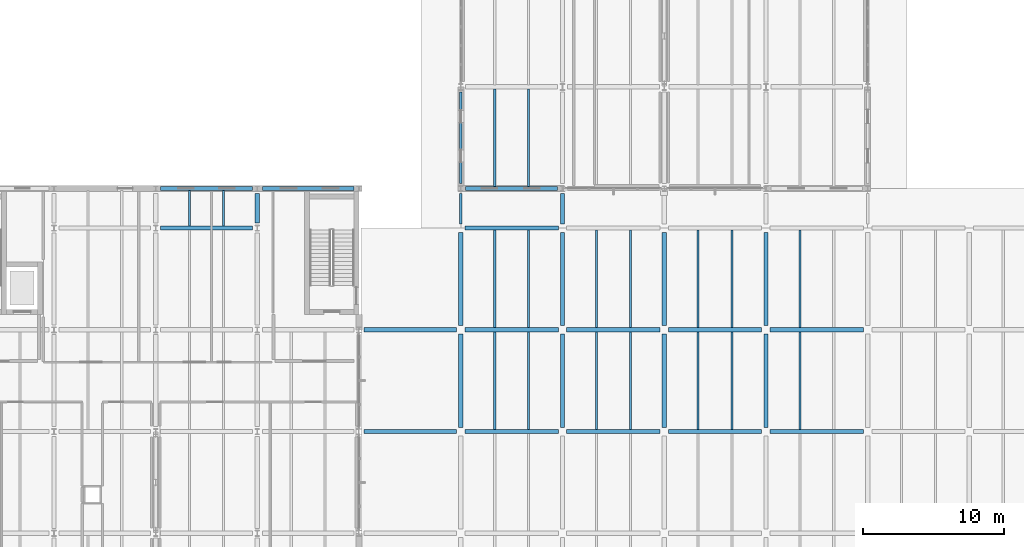
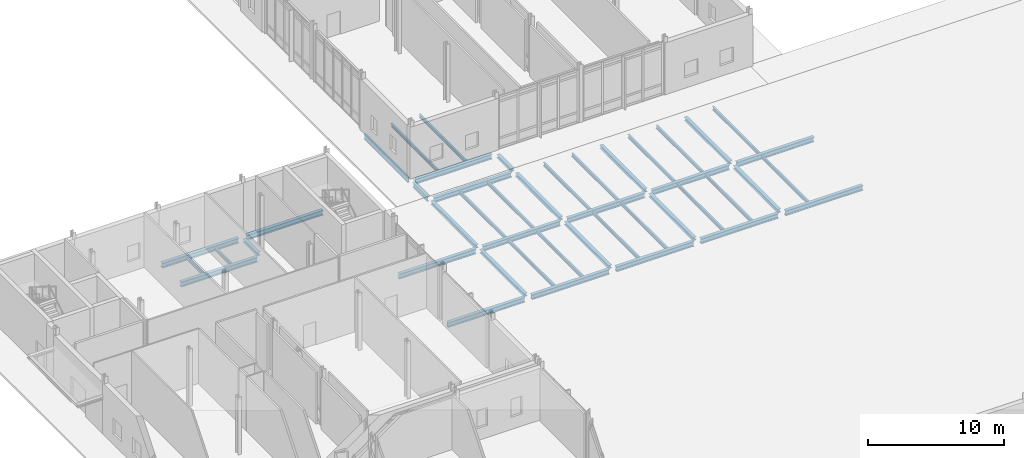
# One storey, part 30 of 89: 45 beams.
"""IFC4 building model written with IfcOpenShell, lengths in metres."""

from ifc_helpers import new_model, si_unit, direction, frame, origin, origin_2d, place, context, subcontext, project, spatial, i_section, extrude, material, material_profile, profile_set, type_object, element, save


model = new_model("IFC4")

# Units and contexts
model_context = context("Model", 3, precision=1e-05, world=origin(), true_north=direction((0.0, 1.0)))
body_context = subcontext(model_context, "Body", "Model", "MODEL_VIEW")
ifc_project = project(units=[si_unit("LENGTHUNIT", "METRE"), si_unit("AREAUNIT", "SQUARE_METRE"), si_unit("VOLUMEUNIT", "CUBIC_METRE"), si_unit("PLANEANGLEUNIT", "RADIAN"), si_unit("MASSUNIT", "GRAM", prefix="KILO")], contexts=[model_context])

# Site, building, storey
site_placement = place(None, origin())
site = spatial("IfcSite", under=ifc_project, at=site_placement, CompositionType="ELEMENT")
building_placement = place(site_placement, origin())
building = spatial("IfcBuilding", under=site, at=building_placement, Name="Zarrinpeak Specialist Clinic", CompositionType="ELEMENT")
storey_placement = place(building_placement, origin())
storey = spatial("IfcBuildingStorey", under=building, at=storey_placement, Name="L00", CompositionType="ELEMENT", Elevation=0.0)

# Beams
ifc_material = material(Name="Steel S355", Category="steel")
ifc_material_profile_1 = material_profile(ifc_material, i_section(OverallWidth=0.300048828125, OverallDepth=0.2900390625, WebThickness=0.008544921875, FlangeThickness=0.013916015625, FilletRadius=0.027099609375, at=origin_2d()), Name="HEA 300")
ifc_profile_set_1 = profile_set([ifc_material_profile_1], Name="Steel S355")
beam_type_1 = type_object("IfcBeamType", Name="BM-HEA300", PredefinedType="BEAM", material=ifc_profile_set_1)
beam_1_placement = place(storey_placement, frame((21.60009765625, 79.548095703125, -0.405029296875), z_axis=(0.0, 1.0, 0.0), x_axis=(-1.0, 0.0, 0.0)))
element("IfcBeam", 1, at=beam_1_placement, inside=storey, type_object=beam_type_1, Name="L00 Primary Beam BM-L00-Y0253", PredefinedType="BEAM", context=body_context, shape_type="SweptSolid", body=[
    extrude(i_section(OverallWidth=0.300048828125, OverallDepth=0.2900390625, WebThickness=0.008544921875, FlangeThickness=0.013916015625, FilletRadius=0.027099609375, at=origin_2d()), origin(), (0.0, 0.0, 1.0), 2.10400390625),
])
for number, where, z_axis, x_axis, name in (
    (2, (36.0, 65.097900390625, -0.364990234375), (0.0, 1.0, 0.0), (-1.0, 0.0, 0.0), "L00 Primary Beam BM-L00-Y0272"),
    (3, (36.0, 72.298095703125, -0.364990234375), (0.0, 1.0, 0.0), (-1.0, 0.0, 0.0), "L00 Primary Beam BM-L00-Y0273"),
    (4, (43.199951171875, 65.097900390625, -0.364990234375), (0.0, 1.0, 0.0), (-1.0, 0.0, 0.0), "L00 Primary Beam BM-L00-Y0287"),
    (5, (43.199951171875, 72.298095703125, -0.364990234375), (0.0, 1.0, 0.0), (-1.0, 0.0, 0.0), "L00 Primary Beam BM-L00-Y0288"),
):
    element("IfcBeam", number, at=place(storey_placement, frame(where, z_axis=z_axis, x_axis=x_axis)), inside=storey, type_object=beam_type_1, Name=name, PredefinedType="BEAM", context=body_context, shape_type="SweptSolid", body=[
        extrude(i_section(OverallWidth=0.300048828125, OverallDepth=0.2900390625, WebThickness=0.008544921875, FlangeThickness=0.013916015625, FilletRadius=0.027099609375, at=origin_2d()), origin(), (0.0, 0.0, 1.0), 6.60400390625),
    ])
beam_2_placement = place(storey_placement, frame((43.199951171875, 79.498046875, -0.364990234375), z_axis=(0.0, 1.0, 0.0), x_axis=(-1.0, 0.0, 0.0)))
element("IfcBeam", 6, at=beam_2_placement, inside=storey, type_object=beam_type_1, Name="L00 Primary Beam BM-L00-Y0289", PredefinedType="BEAM", context=body_context, shape_type="SweptSolid", body=[
    extrude(i_section(OverallWidth=0.300048828125, OverallDepth=0.2900390625, WebThickness=0.008544921875, FlangeThickness=0.013916015625, FilletRadius=0.027099609375, at=origin_2d()), origin(), (0.0, 0.0, 1.0), 2.154052734375),
])
for number, where, z_axis, x_axis, name in (
    (7, (50.39990234375, 65.097900390625, -0.364990234375), (0.0, 1.0, 0.0), (-1.0, 0.0, 0.0), "L00 Primary Beam BM-L00-Y0304"),
    (8, (50.39990234375, 72.298095703125, -0.364990234375), (0.0, 1.0, 0.0), (-1.0, 0.0, 0.0), "L00 Primary Beam BM-L00-Y0305"),
    (9, (57.60009765625, 65.097900390625, -0.364990234375), (0.0, 1.0, 0.0), (-1.0, 0.0, 0.0), "L00 Primary Beam BM-L00-Y0319"),
    (10, (57.60009765625, 72.298095703125, -0.364990234375), (0.0, 1.0, 0.0), (-1.0, 0.0, 0.0), "L00 Primary Beam BM-L00-Y0320"),
):
    element("IfcBeam", number, at=place(storey_placement, frame(where, z_axis=z_axis, x_axis=x_axis)), inside=storey, type_object=beam_type_1, Name=name, PredefinedType="BEAM", context=body_context, shape_type="SweptSolid", body=[
        extrude(i_section(OverallWidth=0.300048828125, OverallDepth=0.2900390625, WebThickness=0.008544921875, FlangeThickness=0.013916015625, FilletRadius=0.027099609375, at=origin_2d()), origin(), (0.0, 0.0, 1.0), 6.60400390625),
    ])
ifc_material_profile_2 = material_profile(ifc_material, i_section(OverallWidth=0.300048828125, OverallDepth=0.43994140625, WebThickness=0.011474609375, FlangeThickness=0.02099609375, FilletRadius=0.027099609375, at=origin_2d()), Name="HEA 450")
ifc_profile_set_2 = profile_set([ifc_material_profile_2], Name="Steel S355")
beam_type_2 = type_object("IfcBeamType", Name="BM-HEA450", PredefinedType="BEAM", material=ifc_profile_set_2)
beam_3_placement = place(storey_placement, frame((29.14794921875, 64.800048828125, -0.43994140625), z_axis=(1.0, 0.0, 0.0), x_axis=(0.0, 1.0, 0.0)))
element("IfcBeam", 11, at=beam_3_placement, inside=storey, type_object=beam_type_2, Name="L00 Primary Floor Girder BM-L00-X0148", PredefinedType="BEAM", context=body_context, shape_type="SweptSolid", body=[
    extrude(i_section(OverallWidth=0.300048828125, OverallDepth=0.43994140625, WebThickness=0.011474609375, FlangeThickness=0.02099609375, FilletRadius=0.027099609375, at=origin_2d()), origin(), (0.0, 0.0, 1.0), 6.553955078125),
])
for number, where, z_axis, x_axis, name in (
    (12, (36.298095703125, 64.800048828125, -0.43994140625), (1.0, 0.0, 0.0), (0.0, 1.0, 0.0), "L00 Primary Floor Girder BM-L00-X0149"),
    (13, (43.498046875, 64.800048828125, -0.43994140625), (1.0, 0.0, 0.0), (0.0, 1.0, 0.0), "L00 Primary Floor Girder BM-L00-X0150"),
    (14, (50.697998046875, 64.800048828125, -0.43994140625), (1.0, 0.0, 0.0), (0.0, 1.0, 0.0), "L00 Primary Floor Girder BM-L00-X0151"),
    (15, (57.89794921875, 64.800048828125, -0.43994140625), (1.0, 0.0, 0.0), (0.0, 1.0, 0.0), "L00 Primary Floor Girder BM-L00-X0152"),
):
    element("IfcBeam", number, at=place(storey_placement, frame(where, z_axis=z_axis, x_axis=x_axis)), inside=storey, type_object=beam_type_2, Name=name, PredefinedType="BEAM", context=body_context, shape_type="SweptSolid", body=[
        extrude(i_section(OverallWidth=0.300048828125, OverallDepth=0.43994140625, WebThickness=0.011474609375, FlangeThickness=0.02099609375, FilletRadius=0.027099609375, at=origin_2d()), origin(), (0.0, 0.0, 1.0), 6.60400390625),
    ])
beam_4_placement = place(storey_placement, frame((29.14794921875, 72.0, -0.43994140625), z_axis=(1.0, 0.0, 0.0), x_axis=(0.0, 1.0, 0.0)))
element("IfcBeam", 16, at=beam_4_placement, inside=storey, type_object=beam_type_2, Name="L00 Primary Floor Girder BM-L00-X0164", PredefinedType="BEAM", context=body_context, shape_type="SweptSolid", body=[
    extrude(i_section(OverallWidth=0.300048828125, OverallDepth=0.43994140625, WebThickness=0.011474609375, FlangeThickness=0.02099609375, FilletRadius=0.027099609375, at=origin_2d()), origin(), (0.0, 0.0, 1.0), 6.553955078125),
])
for number, where, z_axis, x_axis, name in (
    (17, (36.298095703125, 72.0, -0.43994140625), (1.0, 0.0, 0.0), (0.0, 1.0, 0.0), "L00 Primary Floor Girder BM-L00-X0165"),
    (18, (43.498046875, 72.0, -0.43994140625), (1.0, 0.0, 0.0), (0.0, 1.0, 0.0), "L00 Primary Floor Girder BM-L00-X0166"),
    (19, (50.697998046875, 72.0, -0.43994140625), (1.0, 0.0, 0.0), (0.0, 1.0, 0.0), "L00 Primary Floor Girder BM-L00-X0167"),
    (20, (57.89794921875, 72.0, -0.43994140625), (1.0, 0.0, 0.0), (0.0, 1.0, 0.0), "L00 Primary Floor Girder BM-L00-X0168"),
):
    element("IfcBeam", number, at=place(storey_placement, frame(where, z_axis=z_axis, x_axis=x_axis)), inside=storey, type_object=beam_type_2, Name=name, PredefinedType="BEAM", context=body_context, shape_type="SweptSolid", body=[
        extrude(i_section(OverallWidth=0.300048828125, OverallDepth=0.43994140625, WebThickness=0.011474609375, FlangeThickness=0.02099609375, FilletRadius=0.027099609375, at=origin_2d()), origin(), (0.0, 0.0, 1.0), 6.60400390625),
    ])
beam_5_placement = place(storey_placement, frame((14.748046875, 79.199951171875, -0.47998046875), z_axis=(1.0, 0.0, 0.0), x_axis=(0.0, 1.0, 0.0)))
element("IfcBeam", 21, at=beam_5_placement, inside=storey, type_object=beam_type_2, Name="L00 Primary Floor Girder BM-L00-X0177", PredefinedType="BEAM", context=body_context, shape_type="SweptSolid", body=[
    extrude(i_section(OverallWidth=0.300048828125, OverallDepth=0.43994140625, WebThickness=0.011474609375, FlangeThickness=0.02099609375, FilletRadius=0.027099609375, at=origin_2d()), origin(), (0.0, 0.0, 1.0), 6.50390625),
])
beam_6_placement = place(storey_placement, frame((36.298095703125, 79.199951171875, -0.43994140625), z_axis=(1.0, 0.0, 0.0), x_axis=(0.0, 1.0, 0.0)))
element("IfcBeam", 22, at=beam_6_placement, inside=storey, type_object=beam_type_2, Name="L00 Primary Floor Girder BM-L00-X0178", PredefinedType="BEAM", context=body_context, shape_type="SweptSolid", body=[
    extrude(i_section(OverallWidth=0.300048828125, OverallDepth=0.43994140625, WebThickness=0.011474609375, FlangeThickness=0.02099609375, FilletRadius=0.027099609375, at=origin_2d()), origin(), (0.0, 0.0, 1.0), 6.60400390625),
])
for number, where, z_axis, x_axis, name in (
    (23, (14.748046875, 82.0, -0.47998046875), (1.0, 0.0, 0.0), (0.0, 1.0, 0.0), "L00 Primary Floor Girder BM-L00-X0187"),
    (24, (21.947998046875, 82.0, -0.47998046875), (1.0, 0.0, 0.0), (0.0, 1.0, 0.0), "L00 Primary Floor Girder BM-L00-X0188"),
):
    element("IfcBeam", number, at=place(storey_placement, frame(where, z_axis=z_axis, x_axis=x_axis)), inside=storey, type_object=beam_type_2, Name=name, PredefinedType="BEAM", context=body_context, shape_type="SweptSolid", body=[
        extrude(i_section(OverallWidth=0.300048828125, OverallDepth=0.43994140625, WebThickness=0.011474609375, FlangeThickness=0.02099609375, FilletRadius=0.027099609375, at=origin_2d()), origin(), (0.0, 0.0, 1.0), 6.50390625),
    ])
beam_7_placement = place(storey_placement, frame((36.347900390625, 82.0, -0.469970703125), z_axis=(1.0, 0.0, 0.0), x_axis=(0.0, 1.0, 0.0)))
element("IfcBeam", 25, at=beam_7_placement, inside=storey, type_object=beam_type_2, Name="L00 Primary Floor Girder BM-L00-X0189", PredefinedType="BEAM", context=body_context, shape_type="SweptSolid", body=[
    extrude(i_section(OverallWidth=0.300048828125, OverallDepth=0.43994140625, WebThickness=0.011474609375, FlangeThickness=0.02099609375, FilletRadius=0.027099609375, at=origin_2d()), origin(), (0.0, 0.0, 1.0), 6.504150390625),
])
ifc_material_profile_3 = material_profile(ifc_material, i_section(OverallWidth=0.14990234375, OverallDepth=0.300048828125, WebThickness=0.007080078125, FlangeThickness=0.0107421875, FilletRadius=0.014892578125, at=origin_2d()), Name="IPE 300")
ifc_profile_set_3 = profile_set([ifc_material_profile_3], Name="Steel S355")
beam_type_3 = type_object("IfcBeamType", Name="BM-JST300", PredefinedType="JOIST", material=ifc_profile_set_3)
for number, where, z_axis, x_axis, name in (
    (26, (16.800048828125, 79.347900390625, -0.409912109375), (0.0, 1.0, 0.0), (-1.0, 0.0, 0.0), "L00 Composite Floor Joist JST-L00-0564"),
    (27, (19.199951171875, 79.347900390625, -0.409912109375), (0.0, 1.0, 0.0), (-1.0, 0.0, 0.0), "L00 Composite Floor Joist JST-L00-0565"),
):
    element("IfcBeam", number, at=place(storey_placement, frame(where, z_axis=z_axis, x_axis=x_axis)), inside=storey, type_object=beam_type_3, Name=name, PredefinedType="JOIST", context=body_context, shape_type="SweptSolid", body=[
        extrude(i_section(OverallWidth=0.14990234375, OverallDepth=0.300048828125, WebThickness=0.007080078125, FlangeThickness=0.0107421875, FilletRadius=0.014892578125, at=origin_2d()), origin(), (0.0, 0.0, 1.0), 2.504150390625),
    ])
for number, where, z_axis, x_axis, name in (
    (28, (38.39990234375, 82.14794921875, -0.39990234375), (0.0, 1.0, 0.0), (-1.0, 0.0, 0.0), "L00 Composite Floor Joist JST-L00-0572"),
    (29, (40.800048828125, 82.14794921875, -0.39990234375), (0.0, 1.0, 0.0), (-1.0, 0.0, 0.0), "L00 Composite Floor Joist JST-L00-0573"),
    (30, (38.39990234375, 64.947998046875, -0.3701171875), (0.0, 1.0, 0.0), (-1.0, 0.0, 0.0), "L00 Composite Floor Joist JST-L00-0612"),
    (31, (40.800048828125, 64.947998046875, -0.3701171875), (0.0, 1.0, 0.0), (-1.0, 0.0, 0.0), "L00 Composite Floor Joist JST-L00-0613"),
    (32, (38.39990234375, 72.14794921875, -0.3701171875), (0.0, 1.0, 0.0), (-1.0, 0.0, 0.0), "L00 Composite Floor Joist JST-L00-0614"),
    (33, (40.800048828125, 72.14794921875, -0.3701171875), (0.0, 1.0, 0.0), (-1.0, 0.0, 0.0), "L00 Composite Floor Joist JST-L00-0615"),
    (34, (45.60009765625, 64.947998046875, -0.3701171875), (0.0, 1.0, 0.0), (-1.0, 0.0, 0.0), "L00 Composite Floor Joist JST-L00-0624"),
    (35, (48.0, 64.947998046875, -0.3701171875), (0.0, 1.0, 0.0), (-1.0, 0.0, 0.0), "L00 Composite Floor Joist JST-L00-0625"),
    (36, (45.60009765625, 72.14794921875, -0.3701171875), (0.0, 1.0, 0.0), (-1.0, 0.0, 0.0), "L00 Composite Floor Joist JST-L00-0626"),
    (37, (48.0, 72.14794921875, -0.3701171875), (0.0, 1.0, 0.0), (-1.0, 0.0, 0.0), "L00 Composite Floor Joist JST-L00-0627"),
    (38, (52.800048828125, 64.947998046875, -0.3701171875), (0.0, 1.0, 0.0), (-1.0, 0.0, 0.0), "L00 Composite Floor Joist JST-L00-0636"),
    (39, (55.199951171875, 64.947998046875, -0.3701171875), (0.0, 1.0, 0.0), (-1.0, 0.0, 0.0), "L00 Composite Floor Joist JST-L00-0637"),
    (40, (52.800048828125, 72.14794921875, -0.3701171875), (0.0, 1.0, 0.0), (-1.0, 0.0, 0.0), "L00 Composite Floor Joist JST-L00-0638"),
    (41, (55.199951171875, 72.14794921875, -0.3701171875), (0.0, 1.0, 0.0), (-1.0, 0.0, 0.0), "L00 Composite Floor Joist JST-L00-0639"),
    (42, (60.0, 64.947998046875, -0.3701171875), (0.0, 1.0, 0.0), (-1.0, 0.0, 0.0), "L00 Composite Floor Joist JST-L00-0648"),
    (43, (60.0, 72.14794921875, -0.3701171875), (0.0, 1.0, 0.0), (-1.0, 0.0, 0.0), "L00 Composite Floor Joist JST-L00-0650"),
):
    element("IfcBeam", number, at=place(storey_placement, frame(where, z_axis=z_axis, x_axis=x_axis)), inside=storey, type_object=beam_type_3, Name=name, PredefinedType="JOIST", context=body_context, shape_type="SweptSolid", body=[
        extrude(i_section(OverallWidth=0.14990234375, OverallDepth=0.300048828125, WebThickness=0.007080078125, FlangeThickness=0.0107421875, FilletRadius=0.014892578125, at=origin_2d()), origin(), (0.0, 0.0, 1.0), 6.904052734375),
    ])
ifc_material_profile_4 = material_profile(ifc_material, i_section(OverallWidth=0.18994140625, OverallDepth=0.449951171875, WebThickness=0.009521484375, FlangeThickness=0.0146484375, FilletRadius=0.02099609375, at=origin_2d()), Name="IPE 450")
ifc_profile_set_4 = profile_set([ifc_material_profile_4], Name="Steel S355")
beam_type_4 = type_object("IfcBeamType", Name="BM-SP450", PredefinedType="SPANDREL", material=ifc_profile_set_4)
beam_8_placement = place(storey_placement, frame((36.0, 79.498046875, -0.445068359375), z_axis=(0.0, 1.0, 0.0), x_axis=(-1.0, 0.0, 0.0)))
element("IfcBeam", 44, at=beam_8_placement, inside=storey, type_object=beam_type_4, Name="L00 Perimeter Spandrel Beam BM-L00-Y0274", PredefinedType="SPANDREL", context=body_context, shape_type="SweptSolid", body=[
    extrude(i_section(OverallWidth=0.18994140625, OverallDepth=0.449951171875, WebThickness=0.009521484375, FlangeThickness=0.0146484375, FilletRadius=0.02099609375, at=origin_2d()), origin(), (0.0, 0.0, 1.0), 2.154052734375),
])
beam_9_placement = place(storey_placement, frame((36.0, 82.347900390625, -0.47509765625), z_axis=(0.0, 1.0, 0.0), x_axis=(-1.0, 0.0, 0.0)))
element("IfcBeam", 45, at=beam_9_placement, inside=storey, type_object=beam_type_4, Name="L00 Perimeter Spandrel Beam BM-L00-Y0275", PredefinedType="SPANDREL", context=body_context, shape_type="SweptSolid", body=[
    extrude(i_section(OverallWidth=0.18994140625, OverallDepth=0.449951171875, WebThickness=0.009521484375, FlangeThickness=0.0146484375, FilletRadius=0.02099609375, at=origin_2d()), origin(), (0.0, 0.0, 1.0), 6.504150390625),
])

save(model, "model.ifc")
